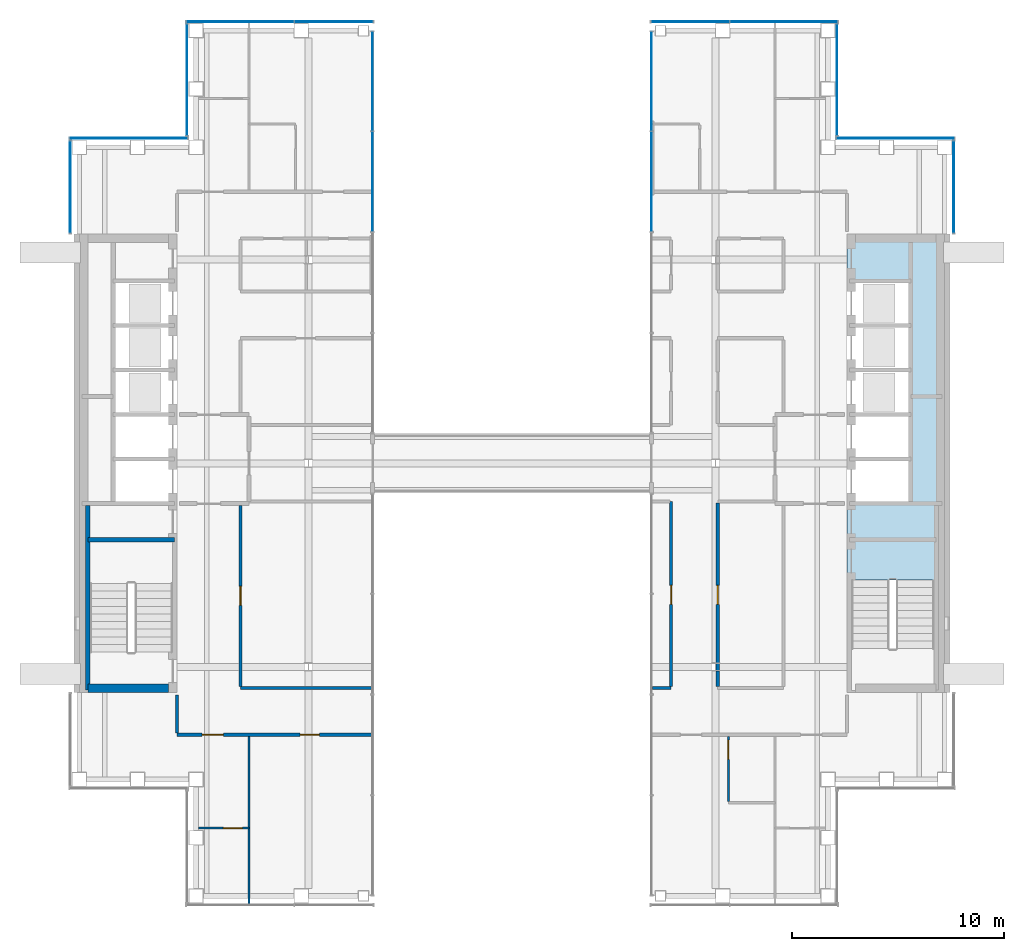
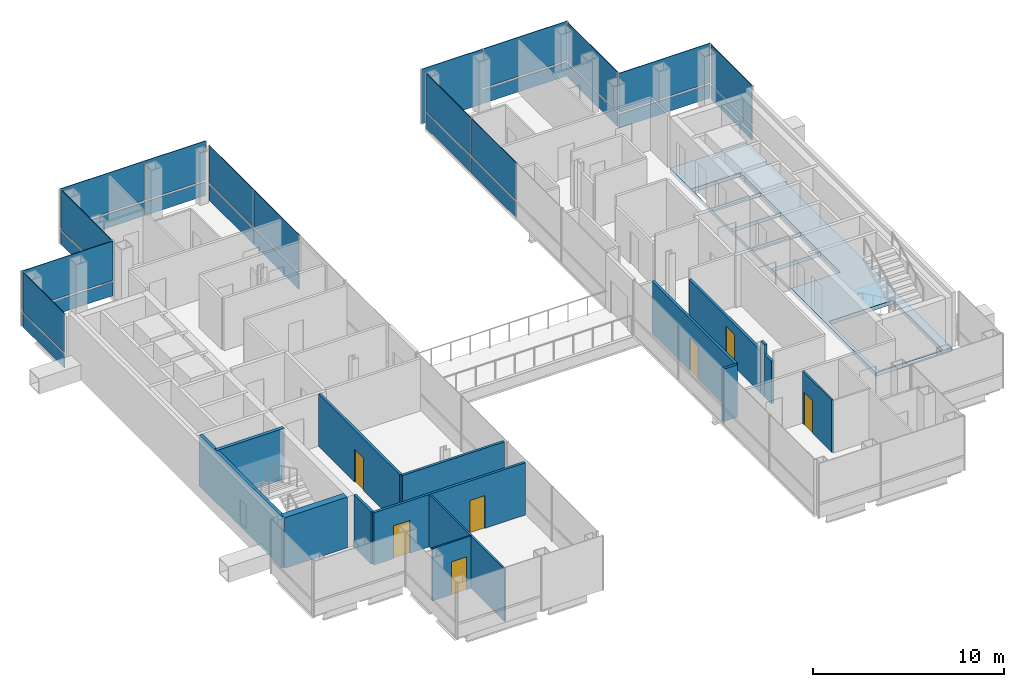
# One storey, part 11 of 16: 27 plates, 15 walls, 7 doors, 1 slab, 7 openings, 10 elements without a shape of their own.
"""IFC4 building model written with IfcOpenShell, lengths in metres."""

from ifc_helpers import new_model, si_unit, direction, frame, frame_2d, origin, origin_2d, place, context, subcontext, project, spatial, polyline, rectangle, outline, extrude, material, layer, layer_set, type_object, element, fill, aggregate, save


model = new_model("IFC4")

# Units and contexts
model_context = context("Model", 3, precision=1e-05, world=origin(), true_north=direction((0.0, 1.0)))
body_context = subcontext(model_context, "Body", "Model", "MODEL_VIEW")
ifc_project = project(units=[si_unit("LENGTHUNIT", "METRE"), si_unit("AREAUNIT", "SQUARE_METRE"), si_unit("VOLUMEUNIT", "CUBIC_METRE"), si_unit("PLANEANGLEUNIT", "RADIAN"), si_unit("MASSUNIT", "GRAM", prefix="KILO")], contexts=[model_context])

# Site, building, storey
site_placement = place(None, origin())
site = spatial("IfcSite", under=ifc_project, at=site_placement, CompositionType="ELEMENT")
building_placement = place(site_placement, origin())
building = spatial("IfcBuilding", under=site, at=building_placement, Name="Cobrizo Arcos Hotel Tower", CompositionType="ELEMENT")
storey_placement = place(building_placement, frame((0.0, 0.0, 229.5)))
storey = spatial("IfcBuildingStorey", under=building, at=storey_placement, Name="L60", CompositionType="ELEMENT", Elevation=229.5)

# Curtain wall, plate
ifc_material_1 = material(Name="Aluminium 6063-T6 anodised bronze", Category="aluminium")
curtain_wall_type_1 = type_object("IfcCurtainWallType", Name="CW-A guest facade", PredefinedType="NOTDEFINED", material=ifc_material_1)
curtain_wall_1_placement = place(storey_placement, origin())
curtain_wall_1 = element("IfcCurtainWall", 1, at=curtain_wall_1_placement, inside=storey, type_object=curtain_wall_type_1, Name="CW-A L60 E face", PredefinedType="NOTDEFINED")
ifc_material_2 = material(Name="Glass clear laminated low-e", Category="glass")
ifc_layer_1 = layer(ifc_material_2, 0.0400390625)
ifc_layer_set_1 = layer_set([ifc_layer_1], Name="CW-A glass panel")
plate_type_1 = type_object("IfcPlateType", Name="CW-A glass panel", PredefinedType="CURTAIN_PANEL", material=ifc_layer_set_1)
plate_1_placement = place(storey_placement, frame((20.824951171875, 13.02490234375, 0.990234375), z_axis=(0.0, 0.0, 1.0), x_axis=(0.0, 1.0, 0.0)))
plate_1 = element("IfcPlate", 2, at=plate_1_placement, type_object=plate_type_1, Name="CW-A glass panel 1955", PredefinedType="CURTAIN_PANEL", context=body_context, shape_type="SweptSolid", body=[
    extrude(rectangle(XDim=4.330078125, YDim=0.0400390625, at=origin_2d()), origin(), (0.0, 0.0, 1.0), 2.510009765625),
])

curtain_wall_2_placement = place(storey_placement, origin())
curtain_wall_2 = element("IfcCurtainWall", 3, at=curtain_wall_2_placement, inside=storey, type_object=curtain_wall_type_1, Name="CW-A L60 N face", PredefinedType="NOTDEFINED")
plate_2_placement = place(storey_placement, frame((18.074951171875, 15.324951171875, 0.990234375), z_axis=(0.0, 0.0, 1.0), x_axis=(-1.0, 0.0, 0.0)))
plate_2 = element("IfcPlate", 4, at=plate_2_placement, type_object=plate_type_1, Name="CW-A glass panel 1956", PredefinedType="CURTAIN_PANEL", context=body_context, shape_type="SweptSolid", body=[
    extrude(rectangle(XDim=5.530029296875, YDim=0.0400390625, at=origin_2d()), origin(), (0.0, 0.0, 1.0), 2.510009765625),
])

curtain_wall_3_placement = place(storey_placement, origin())
curtain_wall_3 = element("IfcCurtainWall", 5, at=curtain_wall_3_placement, inside=storey, type_object=curtain_wall_type_1, Name="CW-A L60 E face", PredefinedType="NOTDEFINED")
plate_3_placement = place(storey_placement, frame((15.324951171875, 18.074951171875, 0.990234375), z_axis=(0.0, 0.0, 1.0), x_axis=(0.0, 1.0, 0.0)))
plate_3 = element("IfcPlate", 6, at=plate_3_placement, type_object=plate_type_1, Name="CW-A glass panel 1957", PredefinedType="CURTAIN_PANEL", context=body_context, shape_type="SweptSolid", body=[
    extrude(rectangle(XDim=5.22998046875, YDim=0.0400390625, at=origin_2d()), origin(), (0.0, 0.0, 1.0), 2.510009765625),
])

curtain_wall_4_placement = place(storey_placement, origin())
curtain_wall_4 = element("IfcCurtainWall", 7, at=curtain_wall_4_placement, inside=storey, type_object=curtain_wall_type_1, Name="CW-A L60 N face", PredefinedType="NOTDEFINED")
plate_4_placement = place(storey_placement, frame((12.818359375, 20.824951171875, 0.990234375), z_axis=(0.0, 0.0, 1.0), x_axis=(-1.0, 0.0, 0.0)))
plate_4 = element("IfcPlate", 8, at=plate_4_placement, type_object=plate_type_1, Name="CW-A glass panel 1958", PredefinedType="CURTAIN_PANEL", context=body_context, shape_type="SweptSolid", body=[
    extrude(rectangle(XDim=5.043212890625, YDim=0.0400390625, at=origin_2d()), origin(), (0.0, 0.0, 1.0), 2.510009765625),
])

# Curtain wall, plates
curtain_wall_5_placement = place(storey_placement, origin())
curtain_wall_5 = element("IfcCurtainWall", 9, at=curtain_wall_5_placement, inside=storey, type_object=curtain_wall_type_1, Name="CW-A L60 N face", PredefinedType="NOTDEFINED")
plate_5_placement = place(storey_placement, frame((-8.3984375, 20.824951171875, 0.990234375), z_axis=(0.0, 0.0, 1.0), x_axis=(-1.0, 0.0, 0.0)))
plate_5 = element("IfcPlate", 10, at=plate_5_placement, type_object=plate_type_1, Name="CW-A glass panel 1960", PredefinedType="CURTAIN_PANEL", context=body_context, shape_type="SweptSolid", body=[
    extrude(rectangle(XDim=3.6767578125, YDim=0.0400390625, at=origin_2d()), origin(), (0.0, 0.0, 1.0), 2.510009765625),
])
plate_6_placement = place(storey_placement, frame((-12.818359375, 20.824951171875, 0.990234375), z_axis=(0.0, 0.0, 1.0), x_axis=(-1.0, 0.0, 0.0)))
plate_6 = element("IfcPlate", 11, at=plate_6_placement, type_object=plate_type_1, Name="CW-A glass panel 1961", PredefinedType="CURTAIN_PANEL", context=body_context, shape_type="SweptSolid", body=[
    extrude(rectangle(XDim=5.043212890625, YDim=0.0400390625, at=origin_2d()), origin(), (0.0, 0.0, 1.0), 2.510009765625),
])

# Curtain wall, plate
curtain_wall_6_placement = place(storey_placement, origin())
curtain_wall_6 = element("IfcCurtainWall", 12, at=curtain_wall_6_placement, inside=storey, type_object=curtain_wall_type_1, Name="CW-A L60 W face", PredefinedType="NOTDEFINED")
plate_7_placement = place(storey_placement, frame((-15.324951171875, 18.074951171875, 0.990234375), z_axis=(0.0, 0.0, 1.0), x_axis=(0.0, -1.0, 0.0)))
plate_7 = element("IfcPlate", 13, at=plate_7_placement, type_object=plate_type_1, Name="CW-A glass panel 1962", PredefinedType="CURTAIN_PANEL", context=body_context, shape_type="SweptSolid", body=[
    extrude(rectangle(XDim=5.22998046875, YDim=0.0400390625, at=origin_2d()), origin(), (0.0, 0.0, 1.0), 2.510009765625),
])

curtain_wall_7_placement = place(storey_placement, origin())
curtain_wall_7 = element("IfcCurtainWall", 14, at=curtain_wall_7_placement, inside=storey, type_object=curtain_wall_type_1, Name="CW-A L60 N face", PredefinedType="NOTDEFINED")
plate_8_placement = place(storey_placement, frame((-18.074951171875, 15.324951171875, 0.990234375), z_axis=(0.0, 0.0, 1.0), x_axis=(-1.0, 0.0, 0.0)))
plate_8 = element("IfcPlate", 15, at=plate_8_placement, type_object=plate_type_1, Name="CW-A glass panel 1963", PredefinedType="CURTAIN_PANEL", context=body_context, shape_type="SweptSolid", body=[
    extrude(rectangle(XDim=5.530029296875, YDim=0.0400390625, at=origin_2d()), origin(), (0.0, 0.0, 1.0), 2.510009765625),
])

curtain_wall_8_placement = place(storey_placement, origin())
curtain_wall_8 = element("IfcCurtainWall", 16, at=curtain_wall_8_placement, inside=storey, type_object=curtain_wall_type_1, Name="CW-A L60 W face", PredefinedType="NOTDEFINED")
plate_9_placement = place(storey_placement, frame((-20.824951171875, 13.02490234375, 0.990234375), z_axis=(0.0, 0.0, 1.0), x_axis=(0.0, -1.0, 0.0)))
plate_9 = element("IfcPlate", 17, at=plate_9_placement, type_object=plate_type_1, Name="CW-A glass panel 1964", PredefinedType="CURTAIN_PANEL", context=body_context, shape_type="SweptSolid", body=[
    extrude(rectangle(XDim=4.330078125, YDim=0.0400390625, at=origin_2d()), origin(), (0.0, 0.0, 1.0), 2.510009765625),
])

# Plate
ifc_material_3 = material(Name="Aluminium composite panel pale metal", Category="aluminium")
ifc_layer_2 = layer(ifc_material_3, 0.0400390625)
ifc_layer_set_2 = layer_set([ifc_layer_2], Name="CW-A spandrel panel")
plate_type_2 = type_object("IfcPlateType", Name="CW-A spandrel panel", PredefinedType="CURTAIN_PANEL", material=ifc_layer_set_2)
plate_10_placement = place(storey_placement, frame((20.824951171875, 13.02490234375, 0.0), z_axis=(0.0, 0.0, 1.0), x_axis=(0.0, 1.0, 0.0)))
plate_10 = element("IfcPlate", 18, at=plate_10_placement, type_object=plate_type_2, Name="CW-A spandrel panel 1955", PredefinedType="CURTAIN_PANEL", context=body_context, shape_type="SweptSolid", body=[
    extrude(rectangle(XDim=4.330078125, YDim=0.0400390625, at=origin_2d()), origin(), (0.0, 0.0, 1.0), 0.8701171875),
])

aggregate(curtain_wall_1, [plate_10, plate_1])

plate_11_placement = place(storey_placement, frame((18.074951171875, 15.324951171875, 0.0), z_axis=(0.0, 0.0, 1.0), x_axis=(-1.0, 0.0, 0.0)))
plate_11 = element("IfcPlate", 19, at=plate_11_placement, type_object=plate_type_2, Name="CW-A spandrel panel 1956", PredefinedType="CURTAIN_PANEL", context=body_context, shape_type="SweptSolid", body=[
    extrude(rectangle(XDim=5.530029296875, YDim=0.0400390625, at=origin_2d()), origin(), (0.0, 0.0, 1.0), 0.8701171875),
])

aggregate(curtain_wall_2, [plate_11, plate_2])

plate_12_placement = place(storey_placement, frame((15.324951171875, 18.074951171875, 0.0), z_axis=(0.0, 0.0, 1.0), x_axis=(0.0, 1.0, 0.0)))
plate_12 = element("IfcPlate", 20, at=plate_12_placement, type_object=plate_type_2, Name="CW-A spandrel panel 1957", PredefinedType="CURTAIN_PANEL", context=body_context, shape_type="SweptSolid", body=[
    extrude(rectangle(XDim=5.22998046875, YDim=0.0400390625, at=origin_2d()), origin(), (0.0, 0.0, 1.0), 0.8701171875),
])

aggregate(curtain_wall_3, [plate_12, plate_3])

plate_13_placement = place(storey_placement, frame((12.818359375, 20.824951171875, 0.0), z_axis=(0.0, 0.0, 1.0), x_axis=(-1.0, 0.0, 0.0)))
plate_13 = element("IfcPlate", 21, at=plate_13_placement, type_object=plate_type_2, Name="CW-A spandrel panel 1958", PredefinedType="CURTAIN_PANEL", context=body_context, shape_type="SweptSolid", body=[
    extrude(rectangle(XDim=5.043212890625, YDim=0.0400390625, at=origin_2d()), origin(), (0.0, 0.0, 1.0), 0.8701171875),
])

plate_14_placement = place(storey_placement, frame((8.3984375, 20.824951171875, 0.0), z_axis=(0.0, 0.0, 1.0), x_axis=(-1.0, 0.0, 0.0)))
plate_14 = element("IfcPlate", 22, at=plate_14_placement, type_object=plate_type_2, Name="CW-A spandrel panel 1959", PredefinedType="CURTAIN_PANEL", context=body_context, shape_type="SweptSolid", body=[
    extrude(rectangle(XDim=3.6767578125, YDim=0.0400390625, at=origin_2d()), origin(), (0.0, 0.0, 1.0), 3.5),
])

aggregate(curtain_wall_4, [plate_13, plate_4, plate_14])

plate_15_placement = place(storey_placement, frame((-8.3984375, 20.824951171875, 0.0), z_axis=(0.0, 0.0, 1.0), x_axis=(-1.0, 0.0, 0.0)))
plate_15 = element("IfcPlate", 23, at=plate_15_placement, type_object=plate_type_2, Name="CW-A spandrel panel 1960", PredefinedType="CURTAIN_PANEL", context=body_context, shape_type="SweptSolid", body=[
    extrude(rectangle(XDim=3.6767578125, YDim=0.0400390625, at=origin_2d()), origin(), (0.0, 0.0, 1.0), 0.8701171875),
])

plate_16_placement = place(storey_placement, frame((-12.818359375, 20.824951171875, 0.0), z_axis=(0.0, 0.0, 1.0), x_axis=(-1.0, 0.0, 0.0)))
plate_16 = element("IfcPlate", 24, at=plate_16_placement, type_object=plate_type_2, Name="CW-A spandrel panel 1961", PredefinedType="CURTAIN_PANEL", context=body_context, shape_type="SweptSolid", body=[
    extrude(rectangle(XDim=5.043212890625, YDim=0.0400390625, at=origin_2d()), origin(), (0.0, 0.0, 1.0), 0.8701171875),
])

aggregate(curtain_wall_5, [plate_15, plate_5, plate_16, plate_6])

plate_17_placement = place(storey_placement, frame((-15.324951171875, 18.074951171875, 0.0), z_axis=(0.0, 0.0, 1.0), x_axis=(0.0, -1.0, 0.0)))
plate_17 = element("IfcPlate", 25, at=plate_17_placement, type_object=plate_type_2, Name="CW-A spandrel panel 1962", PredefinedType="CURTAIN_PANEL", context=body_context, shape_type="SweptSolid", body=[
    extrude(rectangle(XDim=5.22998046875, YDim=0.0400390625, at=origin_2d()), origin(), (0.0, 0.0, 1.0), 0.8701171875),
])

aggregate(curtain_wall_6, [plate_17, plate_7])

plate_18_placement = place(storey_placement, frame((-18.074951171875, 15.324951171875, 0.0), z_axis=(0.0, 0.0, 1.0), x_axis=(-1.0, 0.0, 0.0)))
plate_18 = element("IfcPlate", 26, at=plate_18_placement, type_object=plate_type_2, Name="CW-A spandrel panel 1963", PredefinedType="CURTAIN_PANEL", context=body_context, shape_type="SweptSolid", body=[
    extrude(rectangle(XDim=5.530029296875, YDim=0.0400390625, at=origin_2d()), origin(), (0.0, 0.0, 1.0), 0.8701171875),
])

aggregate(curtain_wall_7, [plate_18, plate_8])

plate_19_placement = place(storey_placement, frame((-20.824951171875, 13.02490234375, 0.0), z_axis=(0.0, 0.0, 1.0), x_axis=(0.0, -1.0, 0.0)))
plate_19 = element("IfcPlate", 27, at=plate_19_placement, type_object=plate_type_2, Name="CW-A spandrel panel 1964", PredefinedType="CURTAIN_PANEL", context=body_context, shape_type="SweptSolid", body=[
    extrude(rectangle(XDim=4.330078125, YDim=0.0400390625, at=origin_2d()), origin(), (0.0, 0.0, 1.0), 0.8701171875),
])

aggregate(curtain_wall_8, [plate_19, plate_9])

# Curtain wall, plates
curtain_wall_type_2 = type_object("IfcCurtainWallType", Name="CW-F void screen", PredefinedType="NOTDEFINED", material=ifc_material_1)
curtain_wall_9_placement = place(storey_placement, origin())
curtain_wall_9 = element("IfcCurtainWall", 28, at=curtain_wall_9_placement, inside=storey, type_object=curtain_wall_type_2, Name="CW-F L60 void screen C", PredefinedType="NOTDEFINED")
ifc_layer_3 = layer(ifc_material_2, 0.0400390625)
ifc_layer_set_3 = layer_set([ifc_layer_3], Name="CW-F glass panel")
plate_type_3 = type_object("IfcPlateType", Name="CW-F glass panel", PredefinedType="CURTAIN_PANEL", material=ifc_layer_set_3)
plate_20_placement = place(storey_placement, frame((6.574951171875, 13.27490234375, 0.0), z_axis=(0.0, 0.0, 1.0), x_axis=(0.0, 1.0, 0.0)))
plate_20 = element("IfcPlate", 29, at=plate_20_placement, type_object=plate_type_3, Name="CW-F glass panel 2738", PredefinedType="CURTAIN_PANEL", context=body_context, shape_type="SweptSolid", body=[
    extrude(rectangle(XDim=4.68994140625, YDim=0.0400390625, at=origin_2d()), origin(), (0.0, 0.0, 1.0), 0.989990234375),
])
plate_21_placement = place(storey_placement, frame((6.574951171875, 13.27490234375, 1.10986328125), z_axis=(0.0, 0.0, 1.0), x_axis=(0.0, 1.0, 0.0)))
plate_21 = element("IfcPlate", 30, at=plate_21_placement, type_object=plate_type_3, Name="CW-F glass panel 2738", PredefinedType="CURTAIN_PANEL", context=body_context, shape_type="SweptSolid", body=[
    extrude(rectangle(XDim=4.68994140625, YDim=0.0400390625, at=origin_2d()), origin(), (0.0, 0.0, 1.0), 2.389892578125),
])
plate_22_placement = place(storey_placement, frame((6.574951171875, 18.010009765625, 0.0), z_axis=(0.0, 0.0, 1.0), x_axis=(0.0, 1.0, 0.0)))
plate_22 = element("IfcPlate", 31, at=plate_22_placement, type_object=plate_type_3, Name="CW-F glass panel 2739", PredefinedType="CURTAIN_PANEL", context=body_context, shape_type="SweptSolid", body=[
    extrude(rectangle(XDim=4.659912109375, YDim=0.0400390625, at=origin_2d()), origin(), (0.0, 0.0, 1.0), 0.989990234375),
])
plate_23_placement = place(storey_placement, frame((6.574951171875, 18.010009765625, 1.10986328125), z_axis=(0.0, 0.0, 1.0), x_axis=(0.0, 1.0, 0.0)))
plate_23 = element("IfcPlate", 32, at=plate_23_placement, type_object=plate_type_3, Name="CW-F glass panel 2739", PredefinedType="CURTAIN_PANEL", context=body_context, shape_type="SweptSolid", body=[
    extrude(rectangle(XDim=4.659912109375, YDim=0.0400390625, at=origin_2d()), origin(), (0.0, 0.0, 1.0), 2.389892578125),
])
aggregate(curtain_wall_9, [plate_20, plate_21, plate_22, plate_23])

curtain_wall_10_placement = place(storey_placement, origin())
curtain_wall_10 = element("IfcCurtainWall", 33, at=curtain_wall_10_placement, inside=storey, type_object=curtain_wall_type_2, Name="CW-F L60 void screen C", PredefinedType="NOTDEFINED")
plate_24_placement = place(storey_placement, frame((-6.574951171875, 18.010009765625, 0.0), z_axis=(0.0, 0.0, 1.0), x_axis=(0.0, -1.0, 0.0)))
plate_24 = element("IfcPlate", 34, at=plate_24_placement, type_object=plate_type_3, Name="CW-F glass panel 2740", PredefinedType="CURTAIN_PANEL", context=body_context, shape_type="SweptSolid", body=[
    extrude(rectangle(XDim=4.659912109375, YDim=0.0400390625, at=origin_2d()), origin(), (0.0, 0.0, 1.0), 0.989990234375),
])
plate_25_placement = place(storey_placement, frame((-6.574951171875, 18.010009765625, 1.10986328125), z_axis=(0.0, 0.0, 1.0), x_axis=(0.0, -1.0, 0.0)))
plate_25 = element("IfcPlate", 35, at=plate_25_placement, type_object=plate_type_3, Name="CW-F glass panel 2740", PredefinedType="CURTAIN_PANEL", context=body_context, shape_type="SweptSolid", body=[
    extrude(rectangle(XDim=4.659912109375, YDim=0.0400390625, at=origin_2d()), origin(), (0.0, 0.0, 1.0), 2.389892578125),
])
plate_26_placement = place(storey_placement, frame((-6.574951171875, 13.27490234375, 0.0), z_axis=(0.0, 0.0, 1.0), x_axis=(0.0, -1.0, 0.0)))
plate_26 = element("IfcPlate", 36, at=plate_26_placement, type_object=plate_type_3, Name="CW-F glass panel 2741", PredefinedType="CURTAIN_PANEL", context=body_context, shape_type="SweptSolid", body=[
    extrude(rectangle(XDim=4.68994140625, YDim=0.0400390625, at=origin_2d()), origin(), (0.0, 0.0, 1.0), 0.989990234375),
])
plate_27_placement = place(storey_placement, frame((-6.574951171875, 13.27490234375, 1.10986328125), z_axis=(0.0, 0.0, 1.0), x_axis=(0.0, -1.0, 0.0)))
plate_27 = element("IfcPlate", 37, at=plate_27_placement, type_object=plate_type_3, Name="CW-F glass panel 2741", PredefinedType="CURTAIN_PANEL", context=body_context, shape_type="SweptSolid", body=[
    extrude(rectangle(XDim=4.68994140625, YDim=0.0400390625, at=origin_2d()), origin(), (0.0, 0.0, 1.0), 2.389892578125),
])
aggregate(curtain_wall_10, [plate_24, plate_25, plate_26, plate_27])

# Slab
ifc_material_4 = material(Name="Concrete f'c 40 MPa", Category="concrete")
ifc_layer_4 = layer(ifc_material_4, 0.25)
ifc_layer_set_4 = layer_set([ifc_layer_4], Name="RC core floor slab 250 f'c 40")
slab_type = type_object("IfcSlabType", Name="RC core floor slab 250 f'c 40", PredefinedType="FLOOR", material=ifc_layer_set_4)
slab_placement = place(storey_placement, frame((0.0, 0.0, -0.25)))
element("IfcSlab", 38, at=slab_placement, inside=storey, type_object=slab_type, Name="Core floor slab CS7, east core, L60", PredefinedType="FLOOR", context=body_context, shape_type="SweptSolid", body=[
    extrude(outline(polyline([(15.800048828125, 10.800048828125), (20.39990234375, 10.800048828125), (20.39990234375, -10.800048828125), (15.800048828125, -10.800048828125), (15.800048828125, 10.800048828125)]), holes=[polyline([(19.89794921875, -10.697998046875), (19.89794921875, -5.501953125), (16.001953125, -5.501953125), (16.001953125, -10.697998046875), (19.89794921875, -10.697998046875)]), polyline([(15.802001953125, 0.197998046875), (15.802001953125, -1.89794921875), (18.798095703125, -1.89794921875), (18.798095703125, 0.197998046875), (15.802001953125, 0.197998046875)]), polyline([(15.802001953125, 2.298095703125), (15.802001953125, 0.201904296875), (18.798095703125, 0.201904296875), (18.798095703125, 2.298095703125), (15.802001953125, 2.298095703125)]), polyline([(15.802001953125, 4.39794921875), (15.802001953125, 2.302001953125), (18.798095703125, 2.302001953125), (18.798095703125, 4.39794921875), (15.802001953125, 4.39794921875)]), polyline([(18.798095703125, 6.498046875), (15.802001953125, 6.498046875), (15.802001953125, 4.402099609375), (18.798095703125, 4.402099609375), (18.798095703125, 6.498046875)]), polyline([(18.798095703125, 8.597900390625), (15.802001953125, 8.597900390625), (15.802001953125, 6.501953125), (18.798095703125, 6.501953125), (18.798095703125, 8.597900390625)])]), origin(), (0.0, 0.0, 1.0), 0.25),
])

# Wall, openings, doors
ifc_material_5 = material(Name="Gypsum board partition")
ifc_layer_5 = layer(ifc_material_5, 0.14990234375)
ifc_layer_set_5 = layer_set([ifc_layer_5], Name="Corridor wall EI 60 150")
wall_type_1 = type_object("IfcWallType", Name="Corridor wall EI 60 150", PredefinedType="PARTITIONING", material=ifc_layer_set_5)
wall_1_placement = place(storey_placement, frame((-15.800048828125, -12.800048828125, 0.0), z_axis=(0.0, 0.0, 1.0), x_axis=(1.0, 0.0, 0.0)))
wall_1 = element("IfcWall", 39, at=wall_1_placement, inside=storey, type_object=wall_type_1, Name="Partition 004", PredefinedType="PARTITIONING", context=body_context, shape_type="SweptSolid", body=[
    extrude(rectangle(XDim=9.179931640625, YDim=0.14990234375, at=frame_2d((4.58984375, 0.0))), origin(), (0.0, 0.0, 1.0), 3.35009765625),
])
opening_1_placement = place(wall_1_placement, frame((5.81689453125, 0.0, 0.0)))
opening_1 = element("IfcOpeningElement", 40, at=opening_1_placement, cuts=wall_1, Name="Opening RD-03", PredefinedType="OPENING", context=body_context, shape_type="SweptSolid", body=[
    extrude(rectangle(XDim=0.89990234375, YDim=2.10009765625, at=frame_2d((0.449951171875, 1.050048828125))), frame((0.0, 0.0869140625, 0.0), z_axis=(0.0, -1.0, 0.0), x_axis=(1.0, 0.0, 0.0)), (0.0, 0.0, 1.0), 0.173828125),
])
opening_2_placement = place(wall_1_placement, frame((1.19189453125, 0.0, 0.0)))
opening_2 = element("IfcOpeningElement", 41, at=opening_2_placement, cuts=wall_1, Name="Opening GD-04", PredefinedType="OPENING", context=body_context, shape_type="SweptSolid", body=[
    extrude(rectangle(XDim=1.0, YDim=2.10009765625, at=frame_2d((0.5, 1.050048828125))), frame((0.0, 0.0869140625, 0.0), z_axis=(0.0, -1.0, 0.0), x_axis=(1.0, 0.0, 0.0)), (0.0, 0.0, 1.0), 0.173828125),
])
ifc_material_6 = material(Name="Timber door leaf", Category="wood")
door_type_1 = type_object("IfcDoorType", Name="Guest room door FD30S 1000x2100", OperationType="SINGLE_SWING_LEFT", PredefinedType="DOOR", material=ifc_material_6)
door_1_placement = place(opening_2_placement, origin())
door_1 = element("IfcDoor", 42, at=door_1_placement, inside=storey, type_object=door_type_1, Name="Door GD-04", OperationType="SINGLE_SWING_LEFT", OverallHeight=2.10009765625, OverallWidth=1.0, PredefinedType="DOOR", context=body_context, shape_type="SweptSolid", body=[
    extrude(rectangle(XDim=1.0, YDim=2.10009765625, at=frame_2d((0.5, 1.050048828125))), frame((0.0, 0.02490234375, 0.0), z_axis=(0.0, -1.0, 0.0), x_axis=(1.0, 0.0, 0.0)), (0.0, 0.0, 1.0), 0.050048828125),
])
fill(opening_2, door_1)
door_type_2 = type_object("IfcDoorType", Name="Room door FD30 900x2100", OperationType="SINGLE_SWING_LEFT", PredefinedType="DOOR", material=ifc_material_6)
door_2_placement = place(opening_1_placement, origin())
door_2 = element("IfcDoor", 43, at=door_2_placement, inside=storey, type_object=door_type_2, Name="Door RD-03", OperationType="SINGLE_SWING_RIGHT", OverallHeight=2.10009765625, OverallWidth=0.89990234375, PredefinedType="DOOR", context=body_context, shape_type="SweptSolid", body=[
    extrude(rectangle(XDim=0.89990234375, YDim=2.10009765625, at=frame_2d((0.449951171875, 1.050048828125))), frame((0.0, 0.02490234375, 0.0), z_axis=(0.0, -1.0, 0.0), x_axis=(1.0, 0.0, 0.0)), (0.0, 0.0, 1.0), 0.050048828125),
])
fill(opening_1, door_2)

# Walls
wall_2_placement = place(storey_placement, frame((-12.800048828125, -10.60009765625, 0.0), z_axis=(0.0, 0.0, 1.0), x_axis=(1.0, 0.0, 0.0)))
element("IfcWall", 44, at=wall_2_placement, inside=storey, type_object=wall_type_1, Name="Partition 006", PredefinedType="PARTITIONING", context=body_context, shape_type="SweptSolid", body=[
    extrude(rectangle(XDim=6.179931640625, YDim=0.14990234375, at=frame_2d((3.08984375, 0.0))), origin(), (0.0, 0.0, 1.0), 3.35009765625),
])
wall_3_placement = place(storey_placement, frame((6.6201171875, -10.60009765625, 0.0), z_axis=(0.0, 0.0, 1.0), x_axis=(1.0, 0.0, 0.0)))
element("IfcWall", 45, at=wall_3_placement, inside=storey, type_object=wall_type_1, Name="Partition 007", PredefinedType="PARTITIONING", context=body_context, shape_type="SweptSolid", body=[
    extrude(rectangle(XDim=0.8798828125, YDim=0.14990234375, at=frame_2d((0.43994140625, 0.0))), origin(), (0.0, 0.0, 1.0), 3.35009765625),
])
wall_4_placement = place(storey_placement, frame((-15.800048828125, -12.72509765625, 0.0), z_axis=(0.0, 0.0, 1.0), x_axis=(0.0, 1.0, 0.0)))
element("IfcWall", 46, at=wall_4_placement, inside=storey, type_object=wall_type_1, Name="Partition 052", PredefinedType="PARTITIONING", context=body_context, shape_type="SweptSolid", body=[
    extrude(rectangle(XDim=1.80517578125, YDim=0.14990234375, at=frame_2d((0.902587890625, 0.0))), origin(), (0.0, 0.0, 1.0), 3.35009765625),
])

# Wall, opening, door
wall_5_placement = place(storey_placement, frame((-12.800048828125, -10.52490234375, 0.0), z_axis=(0.0, 0.0, 1.0), x_axis=(0.0, 1.0, 0.0)))
wall_5 = element("IfcWall", 47, at=wall_5_placement, inside=storey, type_object=wall_type_1, Name="Partition 054", PredefinedType="PARTITIONING", context=body_context, shape_type="SweptSolid", body=[
    extrude(rectangle(XDim=8.52490234375, YDim=0.14990234375, at=frame_2d((4.262451171875, 0.0))), origin(), (0.0, 0.0, 1.0), 3.35009765625),
])
opening_3_placement = place(wall_5_placement, frame((3.824951171875, 0.0, 0.0)))
opening_3 = element("IfcOpeningElement", 48, at=opening_3_placement, cuts=wall_5, Name="Opening RD-11", PredefinedType="OPENING", context=body_context, shape_type="SweptSolid", body=[
    extrude(rectangle(XDim=0.89990234375, YDim=2.10009765625, at=frame_2d((0.449951171875, 1.050048828125))), frame((0.0, 0.0869140625, 0.0), z_axis=(0.0, -1.0, 0.0), x_axis=(1.0, 0.0, 0.0)), (0.0, 0.0, 1.0), 0.173828125),
])
door_3_placement = place(opening_3_placement, origin())
door_3 = element("IfcDoor", 49, at=door_3_placement, inside=storey, type_object=door_type_2, Name="Door RD-11", OperationType="SINGLE_SWING_LEFT", OverallHeight=2.10009765625, OverallWidth=0.89990234375, PredefinedType="DOOR", context=body_context, shape_type="SweptSolid", body=[
    extrude(rectangle(XDim=0.89990234375, YDim=2.10009765625, at=frame_2d((0.449951171875, 1.050048828125))), frame((0.0, 0.02490234375, 0.0), z_axis=(0.0, -1.0, 0.0), x_axis=(1.0, 0.0, 0.0)), (0.0, 0.0, 1.0), 0.050048828125),
])
fill(opening_3, door_3)

wall_6_placement = place(storey_placement, frame((7.5, -10.52490234375, 0.0), z_axis=(0.0, 0.0, 1.0), x_axis=(0.0, 1.0, 0.0)))
wall_6 = element("IfcWall", 50, at=wall_6_placement, inside=storey, type_object=wall_type_1, Name="Partition 066", PredefinedType="PARTITIONING", context=body_context, shape_type="SweptSolid", body=[
    extrude(rectangle(XDim=8.724853515625, YDim=0.14990234375, at=frame_2d((4.3623046875, 0.0))), origin(), (0.0, 0.0, 1.0), 3.35009765625),
])
opening_4_placement = place(wall_6_placement, frame((3.875, 0.0, 0.0)))
opening_4 = element("IfcOpeningElement", 51, at=opening_4_placement, cuts=wall_6, Name="Opening RD-06", PredefinedType="OPENING", context=body_context, shape_type="SweptSolid", body=[
    extrude(rectangle(XDim=0.89990234375, YDim=2.10009765625, at=frame_2d((0.449951171875, 1.050048828125))), frame((0.0, 0.0869140625, 0.0), z_axis=(0.0, -1.0, 0.0), x_axis=(1.0, 0.0, 0.0)), (0.0, 0.0, 1.0), 0.173828125),
])
door_4_placement = place(opening_4_placement, origin())
door_4 = element("IfcDoor", 52, at=door_4_placement, inside=storey, type_object=door_type_2, Name="Door RD-06", OperationType="SINGLE_SWING_LEFT", OverallHeight=2.10009765625, OverallWidth=0.89990234375, PredefinedType="DOOR", context=body_context, shape_type="SweptSolid", body=[
    extrude(rectangle(XDim=0.89990234375, YDim=2.10009765625, at=frame_2d((0.449951171875, 1.050048828125))), frame((0.0, 0.02490234375, 0.0), z_axis=(0.0, -1.0, 0.0), x_axis=(1.0, 0.0, 0.0)), (0.0, 0.0, 1.0), 0.050048828125),
])
fill(opening_4, door_4)

# Walls
wall_7_placement = place(storey_placement, frame((9.699951171875, -10.52490234375, 0.0), z_axis=(0.0, 0.0, 1.0), x_axis=(0.0, 1.0, 0.0)))
element("IfcWall", 53, at=wall_7_placement, inside=storey, type_object=wall_type_1, Name="Partition 070", PredefinedType="PARTITIONING", context=body_context, shape_type="SweptSolid", body=[
    extrude(rectangle(XDim=0.73779296875, YDim=0.14990234375, at=frame_2d((0.368896484375, 0.0))), origin(), (0.0, 0.0, 1.0), 2.72802734375),
])
wall_8_placement = place(storey_placement, frame((9.699951171875, -9.787109375, 0.0), z_axis=(0.0, 0.0, 1.0), x_axis=(0.0, 1.0, 0.0)))
element("IfcWall", 54, at=wall_8_placement, inside=storey, type_object=wall_type_1, Name="Partition 071", PredefinedType="PARTITIONING", context=body_context, shape_type="SweptSolid", body=[
    extrude(rectangle(XDim=0.3740234375, YDim=0.14990234375, at=frame_2d((0.18701171875, 0.0))), origin(), (0.0, 0.0, 1.0), 3.35009765625),
])

# Wall, opening, door
wall_9_placement = place(storey_placement, frame((9.699951171875, -9.4130859375, 0.0), z_axis=(0.0, 0.0, 1.0), x_axis=(0.0, 1.0, 0.0)))
wall_9 = element("IfcWall", 55, at=wall_9_placement, inside=storey, type_object=wall_type_1, Name="Partition 072", PredefinedType="PARTITIONING", context=body_context, shape_type="SweptSolid", body=[
    extrude(rectangle(XDim=7.5380859375, YDim=0.14990234375, at=frame_2d((3.76904296875, 0.0))), origin(), (0.0, 0.0, 1.0), 2.72802734375),
])
opening_5_placement = place(wall_9_placement, frame((2.762939453125, 0.0, 0.0)))
opening_5 = element("IfcOpeningElement", 56, at=opening_5_placement, cuts=wall_9, Name="Opening RD-10", PredefinedType="OPENING", context=body_context, shape_type="SweptSolid", body=[
    extrude(rectangle(XDim=0.89990234375, YDim=2.10009765625, at=frame_2d((0.449951171875, 1.050048828125))), frame((0.0, 0.0869140625, 0.0), z_axis=(0.0, -1.0, 0.0), x_axis=(1.0, 0.0, 0.0)), (0.0, 0.0, 1.0), 0.173828125),
])
door_5_placement = place(opening_5_placement, origin())
door_5 = element("IfcDoor", 57, at=door_5_placement, inside=storey, type_object=door_type_2, Name="Door RD-10", OperationType="SINGLE_SWING_RIGHT", OverallHeight=2.10009765625, OverallWidth=0.89990234375, PredefinedType="DOOR", context=body_context, shape_type="SweptSolid", body=[
    extrude(rectangle(XDim=0.89990234375, YDim=2.10009765625, at=frame_2d((0.449951171875, 1.050048828125))), frame((0.0, 0.02490234375, 0.0), z_axis=(0.0, -1.0, 0.0), x_axis=(1.0, 0.0, 0.0)), (0.0, 0.0, 1.0), 0.050048828125),
])
fill(opening_5, door_5)

ifc_layer_6 = layer(ifc_material_5, 0.10009765625)
ifc_layer_set_6 = layer_set([ifc_layer_6], Name="Partition EI 30 100")
wall_type_2 = type_object("IfcWallType", Name="Partition EI 30 100", PredefinedType="PARTITIONING", material=ifc_layer_set_6)
wall_10_placement = place(storey_placement, frame((-14.780029296875, -17.199951171875, 0.0), z_axis=(0.0, 0.0, 1.0), x_axis=(1.0, 0.0, 0.0)))
wall_10 = element("IfcWall", 58, at=wall_10_placement, inside=storey, type_object=wall_type_2, Name="Partition 001", PredefinedType="PARTITIONING", context=body_context, shape_type="SweptSolid", body=[
    extrude(rectangle(XDim=2.380126953125, YDim=0.10009765625, at=frame_2d((1.18994140625, 0.0))), origin(), (0.0, 0.0, 1.0), 3.35009765625),
])
opening_6_placement = place(wall_10_placement, frame((1.16796875, 0.0, 0.0)))
opening_6 = element("IfcOpeningElement", 59, at=opening_6_placement, cuts=wall_10, Name="Opening ED-04", PredefinedType="OPENING", context=body_context, shape_type="SweptSolid", body=[
    extrude(rectangle(XDim=0.89990234375, YDim=2.10009765625, at=frame_2d((0.449951171875, 1.050048828125))), frame((0.0, 0.06201171875, 0.0), z_axis=(0.0, -1.0, 0.0), x_axis=(1.0, 0.0, 0.0)), (0.0, 0.0, 1.0), 0.1240234375),
])
door_type_3 = type_object("IfcDoorType", Name="En-suite door 900x2100", OperationType="SINGLE_SWING_LEFT", PredefinedType="DOOR", material=ifc_material_6)
door_6_placement = place(opening_6_placement, origin())
door_6 = element("IfcDoor", 60, at=door_6_placement, inside=storey, type_object=door_type_3, Name="Door ED-04", OperationType="SINGLE_SWING_LEFT", OverallHeight=2.10009765625, OverallWidth=0.89990234375, PredefinedType="DOOR", context=body_context, shape_type="SweptSolid", body=[
    extrude(rectangle(XDim=0.89990234375, YDim=2.10009765625, at=frame_2d((0.449951171875, 1.050048828125))), frame((0.0, 0.02490234375, 0.0), z_axis=(0.0, -1.0, 0.0), x_axis=(1.0, 0.0, 0.0)), (0.0, 0.0, 1.0), 0.050048828125),
])
fill(opening_6, door_6)

# Wall
wall_11_placement = place(storey_placement, frame((-12.39990234375, -20.780029296875, 0.0), z_axis=(0.0, 0.0, 1.0), x_axis=(0.0, 1.0, 0.0)))
element("IfcWall", 61, at=wall_11_placement, inside=storey, type_object=wall_type_2, Name="Partition 057", PredefinedType="PARTITIONING", context=body_context, shape_type="SweptSolid", body=[
    extrude(rectangle(XDim=7.905029296875, YDim=0.10009765625, at=frame_2d((3.95263671875, 0.0))), origin(), (0.0, 0.0, 1.0), 3.35009765625),
])

# Wall, opening, door
wall_12_placement = place(storey_placement, frame((10.199951171875, -15.949951171875, 0.0), z_axis=(0.0, 0.0, 1.0), x_axis=(0.0, 1.0, 0.0)))
wall_12 = element("IfcWall", 62, at=wall_12_placement, inside=storey, type_object=wall_type_2, Name="Partition 077", PredefinedType="PARTITIONING", context=body_context, shape_type="SweptSolid", body=[
    extrude(rectangle(XDim=3.074951171875, YDim=0.10009765625, at=frame_2d((1.53759765625, 0.0))), origin(), (0.0, 0.0, 1.0), 3.35009765625),
])
opening_7_placement = place(wall_12_placement, frame((1.99609375, 0.0, 0.0)))
opening_7 = element("IfcOpeningElement", 63, at=opening_7_placement, cuts=wall_12, Name="Opening ED-03", PredefinedType="OPENING", context=body_context, shape_type="SweptSolid", body=[
    extrude(rectangle(XDim=0.89990234375, YDim=2.10009765625, at=frame_2d((0.449951171875, 1.050048828125))), frame((0.0, 0.06201171875, 0.0), z_axis=(0.0, -1.0, 0.0), x_axis=(1.0, 0.0, 0.0)), (0.0, 0.0, 1.0), 0.1240234375),
])
door_7_placement = place(opening_7_placement, origin())
door_7 = element("IfcDoor", 64, at=door_7_placement, inside=storey, type_object=door_type_3, Name="Door ED-03", OperationType="SINGLE_SWING_RIGHT", OverallHeight=2.10009765625, OverallWidth=0.89990234375, PredefinedType="DOOR", context=body_context, shape_type="SweptSolid", body=[
    extrude(rectangle(XDim=0.89990234375, YDim=2.10009765625, at=frame_2d((0.449951171875, 1.050048828125))), frame((0.0, 0.02490234375, 0.0), z_axis=(0.0, -1.0, 0.0), x_axis=(1.0, 0.0, 0.0)), (0.0, 0.0, 1.0), 0.050048828125),
])
fill(opening_7, door_7)

# Walls
ifc_layer_7 = layer(ifc_material_4, 0.39990234375)
ifc_layer_set_7 = layer_set([ifc_layer_7], Name="RC core wall 400 f'c 40")
wall_type_3 = type_object("IfcWallType", Name="RC core wall 400 f'c 40", PredefinedType="SHEAR", material=ifc_layer_set_7)
wall_13_placement = place(storey_placement, frame((-20.0, -10.60009765625, 0.0), z_axis=(0.0, 0.0, 1.0), x_axis=(1.0, 0.0, 0.0)))
element("IfcWall", 65, at=wall_13_placement, inside=storey, type_object=wall_type_3, Name="Core wall CW4, west core, south end, L60", PredefinedType="SHEAR", context=body_context, shape_type="SweptSolid", body=[
    extrude(rectangle(XDim=3.800048828125, YDim=0.39990234375, at=frame_2d((1.89990234375, 0.0))), origin(), (0.0, 0.0, 1.0), 3.25),
])
ifc_layer_8 = layer(ifc_material_4, 0.199951171875)
ifc_layer_set_8 = layer_set([ifc_layer_8], Name="Stair shaft wall 200")
wall_type_4 = type_object("IfcWallType", Name="Stair shaft wall 200", PredefinedType="SHEAR", material=ifc_layer_set_8)
wall_14_placement = place(storey_placement, frame((-20.0, -3.60009765625, 0.0), z_axis=(0.0, 0.0, 1.0), x_axis=(1.0, 0.0, 0.0)))
element("IfcWall", 66, at=wall_14_placement, inside=storey, type_object=wall_type_4, Name="Stair shaft wall W", PredefinedType="SHEAR", context=body_context, shape_type="SweptSolid", body=[
    extrude(rectangle(XDim=4.080078125, YDim=0.199951171875, at=frame_2d((2.0400390625, 0.0))), origin(), (0.0, 0.0, 1.0), 3.25),
])
wall_15_placement = place(storey_placement, frame((-20.0, -10.679931640625, 0.0), z_axis=(0.0, 0.0, 1.0), x_axis=(0.0, 1.0, 0.0)))
element("IfcWall", 67, at=wall_15_placement, inside=storey, type_object=wall_type_4, Name="Stair shaft wall W", PredefinedType="SHEAR", context=body_context, shape_type="SweptSolid", body=[
    extrude(rectangle(XDim=8.679931640625, YDim=0.199951171875, at=frame_2d((4.33984375, 0.0))), origin(), (0.0, 0.0, 1.0), 3.25),
])

save(model, "model.ifc")
